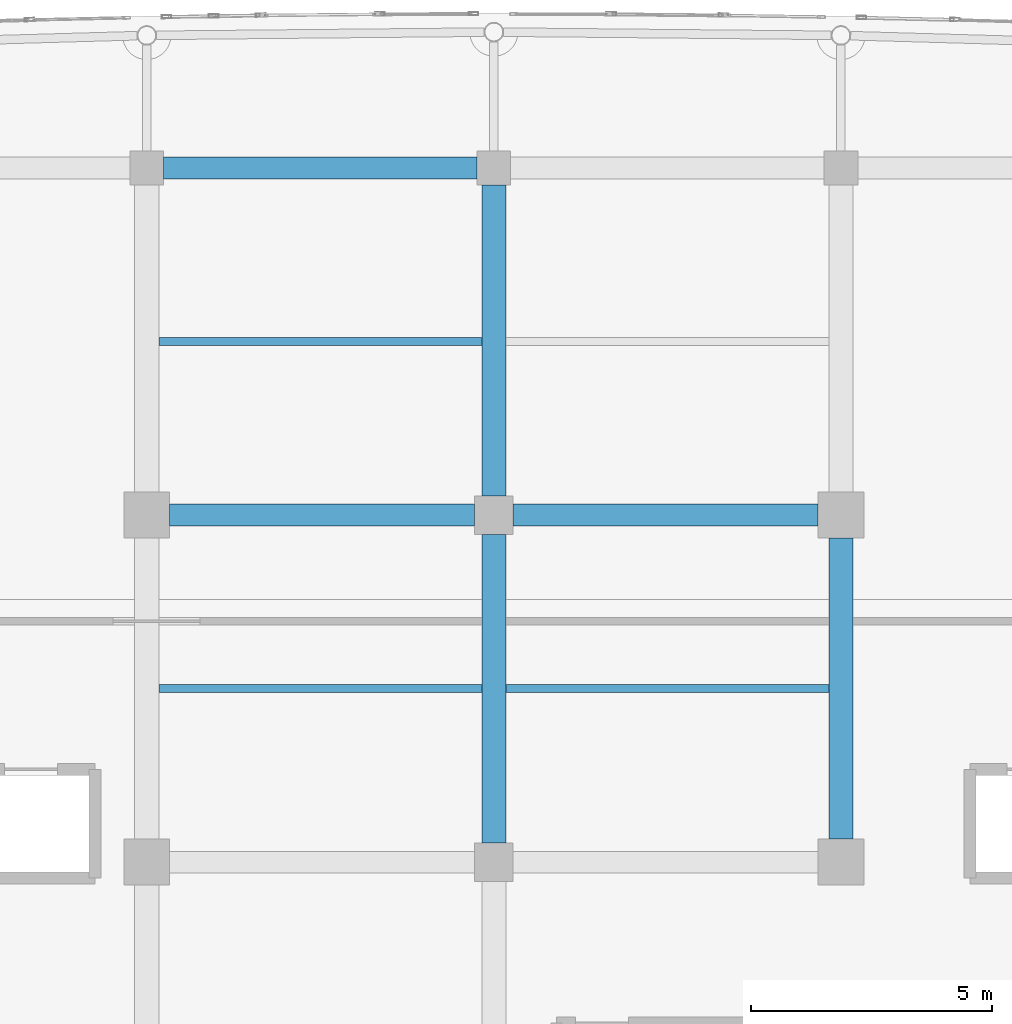
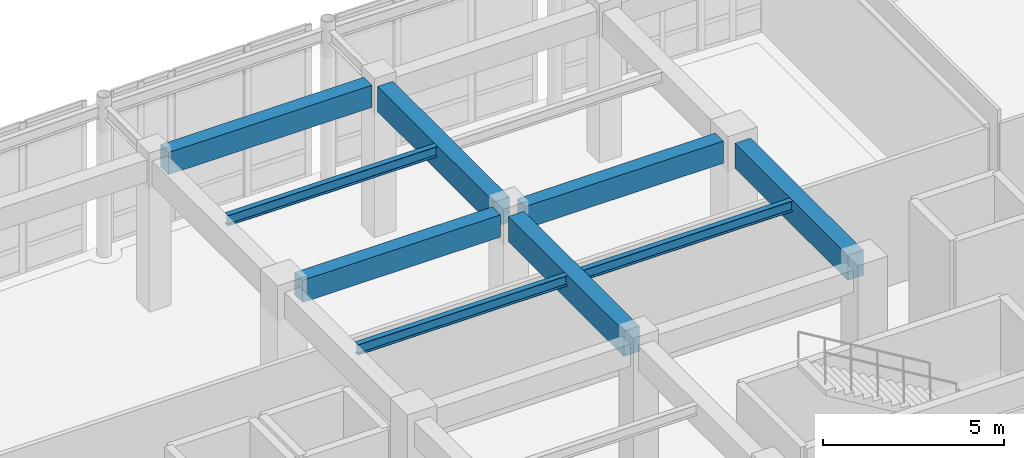
# One storey, part 43 of 102: 9 beams.
"""IFC4 building model written with IfcOpenShell, lengths in metres."""

from ifc_helpers import new_model, si_unit, direction, frame, origin, origin_2d, place, context, subcontext, project, spatial, rectangle, i_section, extrude, material, material_profile, profile_set, type_object, element, save


model = new_model("IFC4")

# Units and contexts
model_context = context("Model", 3, precision=1e-05, world=origin(), true_north=direction((0.0, 1.0)))
body_context = subcontext(model_context, "Body", "Model", "MODEL_VIEW")
ifc_project = project(units=[si_unit("LENGTHUNIT", "METRE"), si_unit("AREAUNIT", "SQUARE_METRE"), si_unit("VOLUMEUNIT", "CUBIC_METRE"), si_unit("PLANEANGLEUNIT", "RADIAN"), si_unit("MASSUNIT", "GRAM", prefix="KILO")], contexts=[model_context])

# Site, building, storey
site_placement = place(None, origin())
site = spatial("IfcSite", under=ifc_project, at=site_placement, CompositionType="ELEMENT")
building_placement = place(site_placement, origin())
building = spatial("IfcBuilding", under=site, at=building_placement, Name="Carrowvane Square Congress Hotel", CompositionType="ELEMENT")
storey_placement = place(building_placement, origin())
storey = spatial("IfcBuildingStorey", under=building, at=storey_placement, Name="L00", CompositionType="ELEMENT", Elevation=0.0)

# Beams
ifc_material_1 = material(Name="Concrete C35/45", Category="concrete")
ifc_material_profile_1 = material_profile(ifc_material_1, rectangle(XDim=0.449951171875, YDim=0.75, at=origin_2d()), Name="RC 450x750")
ifc_profile_set_1 = profile_set([ifc_material_profile_1], Name="Concrete C35/45")
beam_type_1 = type_object("IfcBeamType", Name="BM-RC-450x750", PredefinedType="USERDEFINED", material=ifc_profile_set_1)
for number, where, z_axis, x_axis, name in (
    (1, (91.27490234375, 106.199951171875, 4.72509765625), (1.0, 0.0, 0.0), (0.0, 1.0, 0.0), "L01 girder Q/12-13"),
    (2, (98.39990234375, 106.199951171875, 4.72509765625), (1.0, 0.0, 0.0), (0.0, 1.0, 0.0), "L01 girder Q/13-14"),
):
    element("IfcBeam", number, at=place(storey_placement, frame(where, z_axis=z_axis, x_axis=x_axis)), inside=storey, type_object=beam_type_1, Name=name, ObjectType="GIRDER", PredefinedType="USERDEFINED", context=body_context, shape_type="SweptSolid", body=[
        extrude(rectangle(XDim=0.449951171875, YDim=0.75, at=origin_2d()), origin(), (0.0, 0.0, 1.0), 6.3251953125),
    ])
beam_1_placement = place(storey_placement, frame((91.14990234375, 113.39990234375, 4.72509765625), z_axis=(1.0, 0.0, 0.0), x_axis=(0.0, 1.0, 0.0)))
element("IfcBeam", 3, at=beam_1_placement, inside=storey, type_object=beam_type_1, Name="L01 girder R/12-13", ObjectType="GIRDER", PredefinedType="USERDEFINED", context=body_context, shape_type="SweptSolid", body=[
    extrude(rectangle(XDim=0.449951171875, YDim=0.75, at=origin_2d()), origin(), (0.0, 0.0, 1.0), 6.5),
])
ifc_material_2 = material(Name="Concrete C35/45", Category="concrete")
ifc_material_profile_2 = material_profile(ifc_material_2, rectangle(XDim=0.5, YDim=0.85009765625, at=origin_2d()), Name="RC 500x850")
ifc_profile_set_2 = profile_set([ifc_material_profile_2], Name="Concrete C35/45")
beam_type_2 = type_object("IfcBeamType", Name="BM-RC-500x850", PredefinedType="USERDEFINED", material=ifc_profile_set_2)
beam_2_placement = place(storey_placement, frame((98.0, 99.39990234375, 4.675048828125), z_axis=(0.0, 1.0, 0.0), x_axis=(-1.0, 0.0, 0.0)))
element("IfcBeam", 4, at=beam_2_placement, inside=storey, type_object=beam_type_2, Name="L01 girder 13/P-Q", ObjectType="GIRDER", PredefinedType="USERDEFINED", context=body_context, shape_type="SweptSolid", body=[
    extrude(rectangle(XDim=0.5, YDim=0.85009765625, at=origin_2d()), origin(), (0.0, 0.0, 1.0), 6.400146484375),
])
beam_3_placement = place(storey_placement, frame((98.0, 106.60009765625, 4.675048828125), z_axis=(0.0, 1.0, 0.0), x_axis=(-1.0, 0.0, 0.0)))
element("IfcBeam", 5, at=beam_3_placement, inside=storey, type_object=beam_type_2, Name="L01 girder 13/Q-R", ObjectType="GIRDER", PredefinedType="USERDEFINED", context=body_context, shape_type="SweptSolid", body=[
    extrude(rectangle(XDim=0.5, YDim=0.85009765625, at=origin_2d()), origin(), (0.0, 0.0, 1.0), 6.449951171875),
])
beam_4_placement = place(storey_placement, frame((105.199951171875, 99.47509765625, 4.675048828125), z_axis=(0.0, 1.0, 0.0), x_axis=(-1.0, 0.0, 0.0)))
element("IfcBeam", 6, at=beam_4_placement, inside=storey, type_object=beam_type_2, Name="L01 girder 14/P-Q", ObjectType="GIRDER", PredefinedType="USERDEFINED", context=body_context, shape_type="SweptSolid", body=[
    extrude(rectangle(XDim=0.5, YDim=0.85009765625, at=origin_2d()), origin(), (0.0, 0.0, 1.0), 6.25),
])
ifc_material_3 = material(Name="Steel S355", Category="steel")
ifc_material_profile_3 = material_profile(ifc_material_3, i_section(OverallWidth=0.172119140625, OverallDepth=0.35791015625, WebThickness=0.008056640625, FlangeThickness=0.012939453125, FilletRadius=0.01025390625, at=origin_2d()), Name="UKB 356x171x57")
ifc_profile_set_3 = profile_set([ifc_material_profile_3], Name="Steel S355")
beam_type_3 = type_object("IfcBeamType", Name="BM-ST-UKB356", PredefinedType="JOIST", material=ifc_profile_set_3)
for number, where, z_axis, x_axis, name in (
    (7, (91.050048828125, 102.60009765625, 4.9208984375), (1.0, 0.0, 0.0), (0.0, 1.0, 0.0), "L01 secondary joist 12-13"),
    (8, (91.050048828125, 109.800048828125, 4.9208984375), (1.0, 0.0, 0.0), (0.0, 1.0, 0.0), "L01 secondary joist 12-13"),
    (9, (98.25, 102.60009765625, 4.9208984375), (1.0, 0.0, 0.0), (0.0, 1.0, 0.0), "L01 secondary joist 13-14"),
):
    element("IfcBeam", number, at=place(storey_placement, frame(where, z_axis=z_axis, x_axis=x_axis)), inside=storey, type_object=beam_type_3, Name=name, PredefinedType="JOIST", context=body_context, shape_type="SweptSolid", body=[
        extrude(i_section(OverallWidth=0.172119140625, OverallDepth=0.35791015625, WebThickness=0.008056640625, FlangeThickness=0.012939453125, FilletRadius=0.01025390625, at=origin_2d()), origin(), (0.0, 0.0, 1.0), 6.699951171875),
    ])

save(model, "model.ifc")
